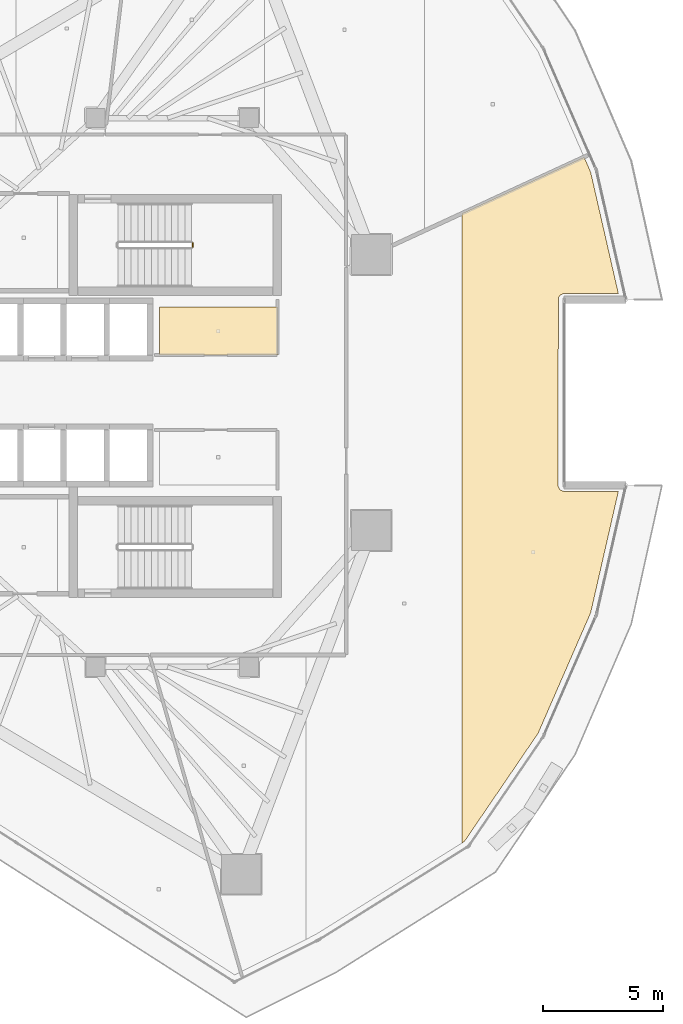
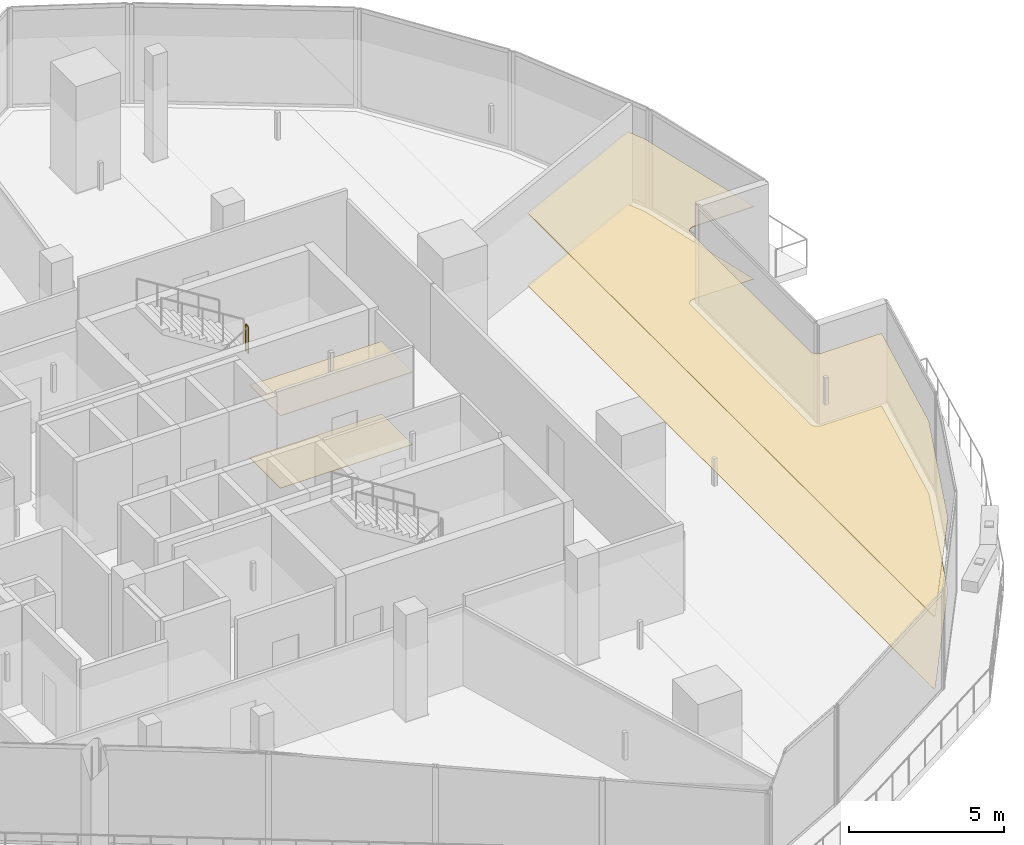
# One storey, part 30 of 31: 4 coverings, 1 railing.
"""IFC4 building model written with IfcOpenShell, lengths in metres."""

import ifcopenshell
import ifcopenshell.guid

model = None  # the IFC model being written
_history = None  # IfcOwnerHistory: only IFC2X3 demands one
_inside = {}  # id of a spatial element -> (the spatial element, [elements in it])
_under = {}  # id of a project, library or spatial element -> (it, [spatial elements below it])
_declared = {}  # id of a project -> (the project, [libraries it declares])
_typed = {}  # id of a type object -> (the type object, [elements of that type])
_made_of = {}  # id of a material, layer set ... -> (it, [elements and type objects made of it])


def new_model(schema):
    """Start an empty IFC model of exactly this schema.

    Asked for "IFC4X3", IfcOpenShell would pick the latest addendum, in which some entities
    have other attributes; the version numbers below select the first issue.
    IFC2X3 requires an IfcOwnerHistory on every rooted entity: one is made here for all.
    """
    global model, _history
    if schema == "IFC4X3":
        model = ifcopenshell.file(schema_version=(4, 3, 0, 0))
    else:
        model = ifcopenshell.file(schema=schema)
    _inside.clear()
    _under.clear()
    _declared.clear()
    _typed.clear()
    _made_of.clear()
    _history = None
    if model.schema == "IFC2X3":
        org = make("IfcOrganization", Name="unknown")
        user = make(
            "IfcPersonAndOrganization",
            ThePerson=make("IfcPerson", FamilyName="unknown"),
            TheOrganization=org,
        )
        app = make(
            "IfcApplication",
            ApplicationDeveloper=org,
            Version="unknown",
            ApplicationFullName="unknown",
            ApplicationIdentifier="unknown",
        )
        _history = make(
            "IfcOwnerHistory",
            OwningUser=user,
            OwningApplication=app,
            ChangeAction="ADDED",
            CreationDate=0,
        )
    return model


def make(cls, **values):
    """One entity of the class cls with the attributes given. An attribute that is None is left unset."""
    return model.create_entity(
        cls, **{name: value for name, value in values.items() if value is not None}
    )


def rooted(cls, **values):
    """An entity with a GlobalId (a new one), such as an element, a storey or a relation."""
    return make(cls, GlobalId=ifcopenshell.guid.new(), OwnerHistory=_history, **values)


def si_unit(unit_type, name, prefix=None):
    """IfcSIUnit, for example si_unit("LENGTHUNIT", "METRE", prefix="MILLI")."""
    return make("IfcSIUnit", UnitType=unit_type, Prefix=prefix, Name=name)


def assignment(units):
    """IfcUnitAssignment: the units of a project."""
    return None if units is None else make("IfcUnitAssignment", Units=units)


def point(xyz):
    """IfcCartesianPoint."""
    return None if xyz is None else make("IfcCartesianPoint", Coordinates=xyz)


def direction(xyz):
    """IfcDirection."""
    return None if xyz is None else make("IfcDirection", DirectionRatios=xyz)


def frame(location, z_axis=None, x_axis=None):
    """IfcAxis2Placement3D, a coordinate frame: its origin and axes. An axis left out is left unset."""
    return make(
        "IfcAxis2Placement3D",
        Location=point(location),
        Axis=direction(z_axis),
        RefDirection=direction(x_axis),
    )


def frame_2d(location, x_axis=None):
    """IfcAxis2Placement2D, a coordinate frame in the plane: its origin and x axis."""
    return make(
        "IfcAxis2Placement2D", Location=point(location), RefDirection=direction(x_axis)
    )


def origin():
    """The frame at (0, 0, 0) with its axes left unset."""
    return frame((0.0, 0.0, 0.0))


def origin_2d():
    """The frame at (0, 0) in the plane with its x axis left unset."""
    return frame_2d((0.0, 0.0))


def place(relative_to, where):
    """IfcLocalPlacement: puts the frame where relative to a parent placement (None: the world)."""
    return make(
        "IfcLocalPlacement", PlacementRelTo=relative_to, RelativePlacement=where
    )


def context(
    kind, dimensions, precision=None, world=None, true_north=None, identifier=None
):
    """IfcGeometricRepresentationContext, for example the 3D "Model" context."""
    return make(
        "IfcGeometricRepresentationContext",
        ContextIdentifier=identifier,
        ContextType=kind,
        CoordinateSpaceDimension=dimensions,
        Precision=precision,
        WorldCoordinateSystem=world,
        TrueNorth=true_north,
    )


def subcontext(parent, identifier, kind, view, scale=None):
    """IfcGeometricRepresentationSubContext, for example "Body" below "Model"."""
    return make(
        "IfcGeometricRepresentationSubContext",
        ContextIdentifier=identifier,
        ContextType=kind,
        ParentContext=parent,
        TargetScale=scale,
        TargetView=view,
    )


def project(units=None, contexts=None):
    """IfcProject with its units and contexts."""
    return rooted(
        "IfcProject",
        Name="project",
        RepresentationContexts=contexts,
        UnitsInContext=assignment(units),
    )


def spatial(cls, under=None, at=None, **own):
    """A site, building, storey or space (cls), placed at a placement, below another one or the project."""
    s = rooted(cls, ObjectPlacement=at, **own)
    if under is not None:
        _under.setdefault(under.id(), (under, []))[1].append(s)
    return s


def polyline(points):
    """IfcPolyline through the points."""
    return make("IfcPolyline", Points=[point(p) for p in points])


def profile(cls, at=None, kind="AREA", **sizes):
    """A parametric profile (cls). Its sizes go by their IFC names, for example OverallWidth=200.0."""
    return make(cls, ProfileType=kind, Position=at, **sizes)


def circle(**sizes):
    """IfcCircleProfileDef."""
    return profile("IfcCircleProfileDef", **sizes)


def outline(outer, holes=None, kind="AREA"):
    """IfcArbitraryClosedProfileDef: a profile drawn as a closed curve; with holes, ...WithVoids."""
    if holes is None:
        return make("IfcArbitraryClosedProfileDef", ProfileType=kind, OuterCurve=outer)
    return make(
        "IfcArbitraryProfileDefWithVoids",
        ProfileType=kind,
        OuterCurve=outer,
        InnerCurves=holes,
    )


def extrude(swept, where, along, depth):
    """IfcExtrudedAreaSolid: the profile swept, set in the frame where, extruded along a direction by depth."""
    return make(
        "IfcExtrudedAreaSolid",
        SweptArea=swept,
        Position=where,
        ExtrudedDirection=direction(along),
        Depth=depth,
    )


def shape(context_of_items, identifier, shape_type, items):
    """IfcShapeRepresentation: the items that make up one representation, for example the "Body"."""
    return make(
        "IfcShapeRepresentation",
        ContextOfItems=context_of_items,
        RepresentationIdentifier=identifier,
        RepresentationType=shape_type,
        Items=items,
    )


def material(Name=None, Category=None):
    """IfcMaterial."""
    return make("IfcMaterial", Name=Name, Category=Category)


def layer(
    of_material, thickness, ventilated=None, Name=None, Category=None, Priority=None
):
    """IfcMaterialLayer: one layer of a wall or slab, of a material (None: an air gap)."""
    return make(
        "IfcMaterialLayer",
        Material=of_material,
        LayerThickness=thickness,
        IsVentilated=ventilated,
        Name=Name,
        Category=Category,
        Priority=Priority,
    )


def layer_set(layers, Name=None):
    """IfcMaterialLayerSet."""
    return make("IfcMaterialLayerSet", MaterialLayers=layers, LayerSetName=Name)


def made_of(thing, what):
    """Note that an element or type object is made of a material, layer set ...; save() writes the relation."""
    if what is not None:
        _made_of.setdefault(what.id(), (what, []))[1].append(thing)
    return thing


def type_object(cls, material=None, **own):
    """A type object (cls), such as IfcWallType, which elements share."""
    return made_of(rooted(cls, **own), material)


def element(
    cls,
    number,
    at=None,
    inside=None,
    cuts=None,
    type_object=None,
    material=None,
    context=None,
    identifier="Body",
    shape_type=None,
    held_by="IfcProductDefinitionShape",
    body=None,
    shapes=None,
    **own,
):
    """One element of the class cls, such as IfcWall. Its Tag is "e" and its number.

    at: its placement. inside: the storey or other place that contains it. cuts: it is an
    opening in that element (IfcRelVoidsElement). A single representation is given by context,
    identifier, shape_type and body (its items); several are given by shapes. held_by: the class
    of the entity that holds the representations. save() writes the other relations.
    """
    e = rooted(cls, Tag="e%d" % number, ObjectPlacement=at, **own)
    if body is not None:
        shapes = [shape(context, identifier, shape_type, body)]
    if shapes is not None:
        e.Representation = make(held_by, Representations=shapes)
    if inside is not None:
        _inside.setdefault(inside.id(), (inside, []))[1].append(e)
    if cuts is not None:
        rooted(
            "IfcRelVoidsElement", RelatingBuildingElement=cuts, RelatedOpeningElement=e
        )
    if type_object is not None:
        _typed.setdefault(type_object.id(), (type_object, []))[1].append(e)
    return made_of(e, material)


def aggregate(whole, parts):
    """IfcRelAggregates: a whole, such as a stair, and the parts it consists of."""
    return rooted("IfcRelAggregates", RelatingObject=whole, RelatedObjects=parts)


def save(model, path):
    """Write the relations noted so far, then the file.

    IfcRelAggregates (storeys below a building ...), IfcRelContainedInSpatialStructure (elements
    in a storey), IfcRelDefinesByType, IfcRelAssociatesMaterial and IfcRelDeclares: one each for
    every whole, place, type object, material and project.
    """
    for whole, parts in _under.values():
        aggregate(whole, parts)
    for where, things in _inside.values():
        rooted(
            "IfcRelContainedInSpatialStructure",
            RelatedElements=things,
            RelatingStructure=where,
        )
    for kind, things in _typed.values():
        rooted("IfcRelDefinesByType", RelatedObjects=things, RelatingType=kind)
    for what, things in _made_of.values():
        rooted("IfcRelAssociatesMaterial", RelatedObjects=things, RelatingMaterial=what)
    for by, libraries in _declared.values():
        rooted("IfcRelDeclares", RelatingContext=by, RelatedDefinitions=libraries)
    model.write(path)


model = new_model("IFC4")

# Units and contexts
model_context = context("Model", 3, precision=1e-05, world=origin(), true_north=direction((0.0, 1.0)))
body_context = subcontext(model_context, "Body", "Model", "MODEL_VIEW")
ifc_project = project(units=[si_unit("LENGTHUNIT", "METRE"), si_unit("AREAUNIT", "SQUARE_METRE"), si_unit("VOLUMEUNIT", "CUBIC_METRE"), si_unit("PLANEANGLEUNIT", "RADIAN"), si_unit("MASSUNIT", "GRAM", prefix="KILO")], contexts=[model_context])

# Site, building, storey
site_placement = place(None, origin())
site = spatial("IfcSite", under=ifc_project, at=site_placement, CompositionType="ELEMENT")
building_placement = place(site_placement, origin())
building = spatial("IfcBuilding", under=site, at=building_placement, Name="Qorvath Tower", CompositionType="ELEMENT")
storey_placement = place(building_placement, frame((0.0, 0.0, 259.800048828125)))
storey = spatial("IfcBuildingStorey", under=building, at=storey_placement, Name="L60", CompositionType="ELEMENT", Elevation=259.800048828125)

# Coverings
ifc_material_1 = material(Name="Acoustic mineral fibre ceiling tile", Category="gypsum")
ifc_layer_1 = layer(ifc_material_1, 0.030029296875)
ifc_layer_set_1 = layer_set([ifc_layer_1], Name="COV-CEIL")
covering_type_1 = type_object("IfcCoveringType", Name="COV-CEIL", PredefinedType="CEILING", material=ifc_layer_set_1)
covering_1_placement = place(storey_placement, frame((0.0, 0.0, 2.849853515625)))
element("IfcCovering", 1, at=covering_1_placement, inside=storey, type_object=covering_type_1, Name="L60 Suspended Acoustic Ceiling 003", PredefinedType="CEILING", context=body_context, shape_type="SweptSolid", body=[
    extrude(outline(polyline([(-16.0048828125, 3.56005859375), (-20.93994140625, 3.56005859375), (-20.93994140625, 1.56494140625), (-16.0048828125, 1.56494140625), (-16.0048828125, 3.56005859375)])), origin(), (0.0, 0.0, 1.0), 0.030029296875),
])
covering_2_placement = place(storey_placement, frame((0.0, 0.0, 2.849853515625)))
element("IfcCovering", 2, at=covering_2_placement, inside=storey, type_object=covering_type_1, Name="L60 Suspended Acoustic Ceiling 015", PredefinedType="CEILING", context=body_context, shape_type="SweptSolid", body=[
    extrude(outline(polyline([(-2.941650390625, 9.189697265625), (-3.216064453125, 9.81884765625), (-8.301025390625, 7.4716796875), (-8.301025390625, -18.788818359375), (-8.21044921875, -18.732177734375), (-5.135986328125, -14.220947265625), (-2.941650390625, -9.189697265625), (-1.786376953125, -4.126708984375), (-4.072509765625, -4.12548828125), (-4.229248046875, -4.05078125), (-4.3017578125, -3.896240234375), (-4.291259765625, 3.947265625), (-4.20849609375, 4.069580078125), (-4.072509765625, 4.12548828125), (-1.786376953125, 4.126708984375), (-2.941650390625, 9.189697265625)])), origin(), (0.0, 0.0, 1.0), 0.030029296875),
])
ifc_material_2 = material(Name="Low-VOC modular carpet tile", Category="textile")
ifc_layer_2 = layer(ifc_material_2, 0.014892578125)
ifc_layer_set_2 = layer_set([ifc_layer_2], Name="COV-FLOOR-CPT")
covering_type_2 = type_object("IfcCoveringType", Name="COV-FLOOR-CPT", PredefinedType="FLOORING", material=ifc_layer_set_2)
covering_3_placement = place(storey_placement, origin())
element("IfcCovering", 3, at=covering_3_placement, inside=storey, type_object=covering_type_2, Name="L60 Floor Finish 003", PredefinedType="FLOORING", context=body_context, shape_type="SweptSolid", body=[
    extrude(outline(polyline([(-16.0048828125, 3.56005859375), (-20.93994140625, 3.56005859375), (-20.93994140625, 1.56494140625), (-16.0048828125, 1.56494140625), (-16.0048828125, 3.56005859375)])), origin(), (0.0, 0.0, 1.0), 0.014892578125),
])
covering_4_placement = place(storey_placement, origin())
element("IfcCovering", 4, at=covering_4_placement, inside=storey, type_object=covering_type_2, Name="L60 Floor Finish 015", PredefinedType="FLOORING", context=body_context, shape_type="SweptSolid", body=[
    extrude(outline(polyline([(-2.941650390625, 9.189697265625), (-3.216064453125, 9.81884765625), (-8.301025390625, 7.4716796875), (-8.301025390625, -18.788818359375), (-8.21044921875, -18.732177734375), (-5.135986328125, -14.220947265625), (-2.941650390625, -9.189697265625), (-1.786376953125, -4.126708984375), (-4.072509765625, -4.12548828125), (-4.229248046875, -4.05078125), (-4.3017578125, -3.896240234375), (-4.291259765625, 3.947265625), (-4.20849609375, 4.069580078125), (-4.072509765625, 4.12548828125), (-1.786376953125, 4.126708984375), (-2.941650390625, 9.189697265625)])), origin(), (0.0, 0.0, 1.0), 0.014892578125),
])

# Railing
ifc_material_3 = material(Name="Painted galvanised steel", Category="steel")
railing_type = type_object("IfcRailingType", Name="RL-STR-GRD", PredefinedType="GUARDRAIL", material=ifc_material_3)
railing_placement = place(storey_placement, frame((-19.5400390625, 6.080078125, 2.099853515625)))
element("IfcRailing", 5, at=railing_placement, inside=storey, type_object=railing_type, Name="L60 TS1 stair guard 2", PredefinedType="GUARDRAIL", context=body_context, shape_type="SweptSolid", body=[
    extrude(circle(Radius=0.02392578125, at=origin_2d()), frame((0.0, 0.0, 1.076171875), z_axis=(0.0, 1.0, 0.0), x_axis=(-1.0, 0.0, 0.0)), (0.0, 0.0, 1.0), 0.14990234375),
    extrude(circle(Radius=0.02099609375, at=origin_2d()), origin(), (0.0, 0.0, 1.0), 1.052001953125),
    extrude(circle(Radius=0.02099609375, at=origin_2d()), frame((0.0, 0.14990234375, 0.0)), (0.0, 0.0, 1.0), 1.052001953125),
])

save(model, "model.ifc")
